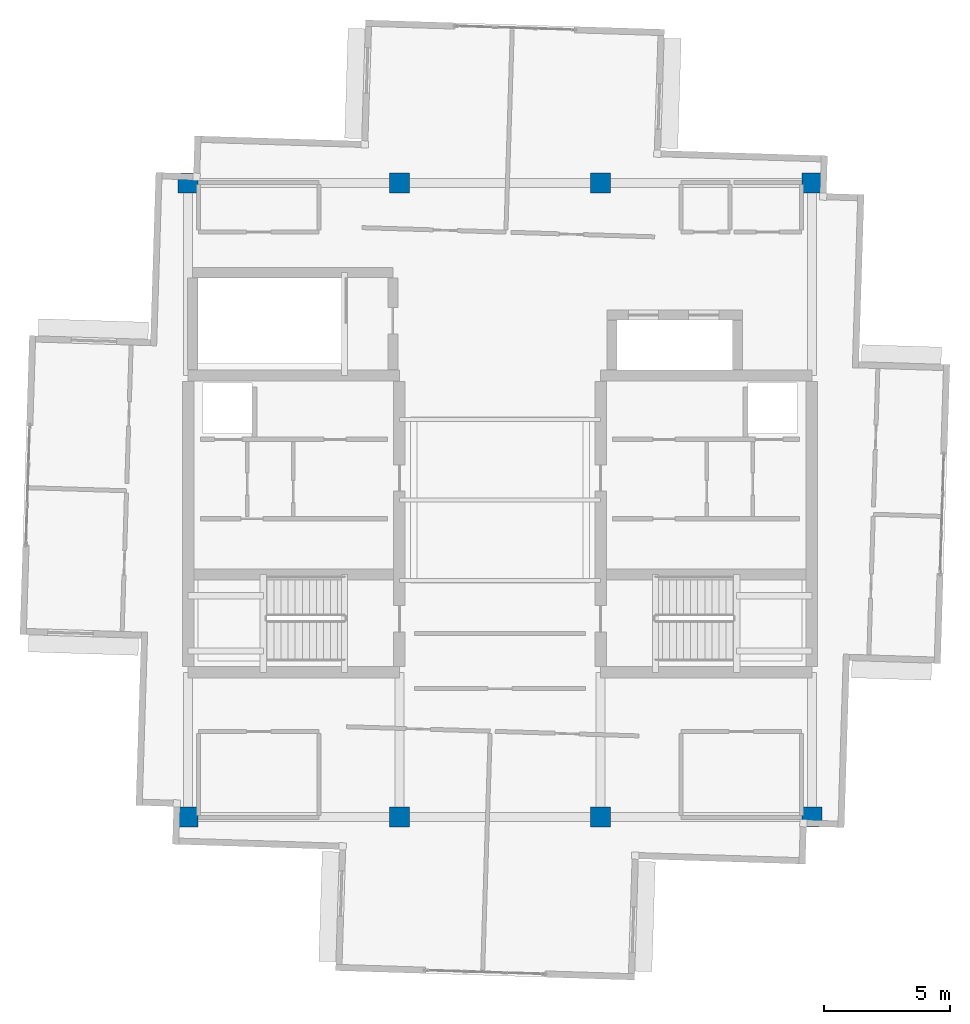
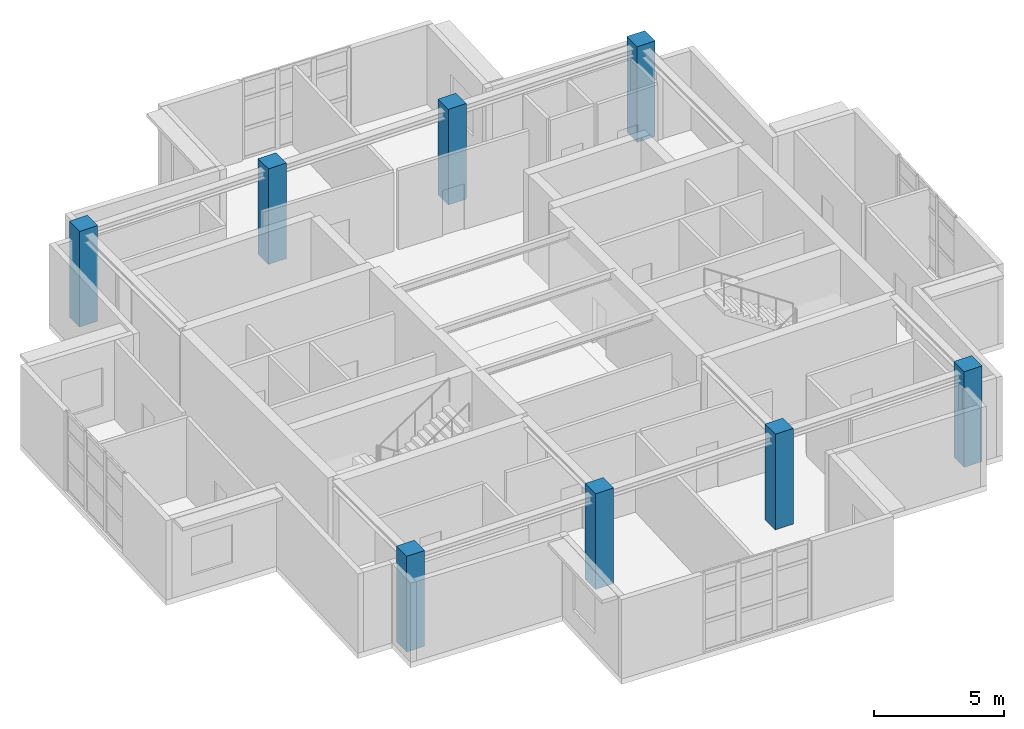
# One storey, part 1 of 14: 8 columns.
"""IFC4 building model written with IfcOpenShell, lengths in metres."""

import ifcopenshell
import ifcopenshell.guid

model = None  # the IFC model being written
_history = None  # IfcOwnerHistory: only IFC2X3 demands one
_inside = {}  # id of a spatial element -> (the spatial element, [elements in it])
_under = {}  # id of a project, library or spatial element -> (it, [spatial elements below it])
_declared = {}  # id of a project -> (the project, [libraries it declares])
_typed = {}  # id of a type object -> (the type object, [elements of that type])
_made_of = {}  # id of a material, layer set ... -> (it, [elements and type objects made of it])


def new_model(schema):
    """Start an empty IFC model of exactly this schema.

    Asked for "IFC4X3", IfcOpenShell would pick the latest addendum, in which some entities
    have other attributes; the version numbers below select the first issue.
    IFC2X3 requires an IfcOwnerHistory on every rooted entity: one is made here for all.
    """
    global model, _history
    if schema == "IFC4X3":
        model = ifcopenshell.file(schema_version=(4, 3, 0, 0))
    else:
        model = ifcopenshell.file(schema=schema)
    _inside.clear()
    _under.clear()
    _declared.clear()
    _typed.clear()
    _made_of.clear()
    _history = None
    if model.schema == "IFC2X3":
        org = make("IfcOrganization", Name="unknown")
        user = make(
            "IfcPersonAndOrganization",
            ThePerson=make("IfcPerson", FamilyName="unknown"),
            TheOrganization=org,
        )
        app = make(
            "IfcApplication",
            ApplicationDeveloper=org,
            Version="unknown",
            ApplicationFullName="unknown",
            ApplicationIdentifier="unknown",
        )
        _history = make(
            "IfcOwnerHistory",
            OwningUser=user,
            OwningApplication=app,
            ChangeAction="ADDED",
            CreationDate=0,
        )
    return model


def make(cls, **values):
    """One entity of the class cls with the attributes given. An attribute that is None is left unset."""
    return model.create_entity(
        cls, **{name: value for name, value in values.items() if value is not None}
    )


def rooted(cls, **values):
    """An entity with a GlobalId (a new one), such as an element, a storey or a relation."""
    return make(cls, GlobalId=ifcopenshell.guid.new(), OwnerHistory=_history, **values)


def si_unit(unit_type, name, prefix=None):
    """IfcSIUnit, for example si_unit("LENGTHUNIT", "METRE", prefix="MILLI")."""
    return make("IfcSIUnit", UnitType=unit_type, Prefix=prefix, Name=name)


def assignment(units):
    """IfcUnitAssignment: the units of a project."""
    return None if units is None else make("IfcUnitAssignment", Units=units)


def point(xyz):
    """IfcCartesianPoint."""
    return None if xyz is None else make("IfcCartesianPoint", Coordinates=xyz)


def direction(xyz):
    """IfcDirection."""
    return None if xyz is None else make("IfcDirection", DirectionRatios=xyz)


def frame(location, z_axis=None, x_axis=None):
    """IfcAxis2Placement3D, a coordinate frame: its origin and axes. An axis left out is left unset."""
    return make(
        "IfcAxis2Placement3D",
        Location=point(location),
        Axis=direction(z_axis),
        RefDirection=direction(x_axis),
    )


def frame_2d(location, x_axis=None):
    """IfcAxis2Placement2D, a coordinate frame in the plane: its origin and x axis."""
    return make(
        "IfcAxis2Placement2D", Location=point(location), RefDirection=direction(x_axis)
    )


def origin():
    """The frame at (0, 0, 0) with its axes left unset."""
    return frame((0.0, 0.0, 0.0))


def origin_2d():
    """The frame at (0, 0) in the plane with its x axis left unset."""
    return frame_2d((0.0, 0.0))


def place(relative_to, where):
    """IfcLocalPlacement: puts the frame where relative to a parent placement (None: the world)."""
    return make(
        "IfcLocalPlacement", PlacementRelTo=relative_to, RelativePlacement=where
    )


def context(
    kind, dimensions, precision=None, world=None, true_north=None, identifier=None
):
    """IfcGeometricRepresentationContext, for example the 3D "Model" context."""
    return make(
        "IfcGeometricRepresentationContext",
        ContextIdentifier=identifier,
        ContextType=kind,
        CoordinateSpaceDimension=dimensions,
        Precision=precision,
        WorldCoordinateSystem=world,
        TrueNorth=true_north,
    )


def subcontext(parent, identifier, kind, view, scale=None):
    """IfcGeometricRepresentationSubContext, for example "Body" below "Model"."""
    return make(
        "IfcGeometricRepresentationSubContext",
        ContextIdentifier=identifier,
        ContextType=kind,
        ParentContext=parent,
        TargetScale=scale,
        TargetView=view,
    )


def project(units=None, contexts=None):
    """IfcProject with its units and contexts."""
    return rooted(
        "IfcProject",
        Name="project",
        RepresentationContexts=contexts,
        UnitsInContext=assignment(units),
    )


def spatial(cls, under=None, at=None, **own):
    """A site, building, storey or space (cls), placed at a placement, below another one or the project."""
    s = rooted(cls, ObjectPlacement=at, **own)
    if under is not None:
        _under.setdefault(under.id(), (under, []))[1].append(s)
    return s


def profile(cls, at=None, kind="AREA", **sizes):
    """A parametric profile (cls). Its sizes go by their IFC names, for example OverallWidth=200.0."""
    return make(cls, ProfileType=kind, Position=at, **sizes)


def rectangle(**sizes):
    """IfcRectangleProfileDef."""
    return profile("IfcRectangleProfileDef", **sizes)


def extrude(swept, where, along, depth):
    """IfcExtrudedAreaSolid: the profile swept, set in the frame where, extruded along a direction by depth."""
    return make(
        "IfcExtrudedAreaSolid",
        SweptArea=swept,
        Position=where,
        ExtrudedDirection=direction(along),
        Depth=depth,
    )


def shape(context_of_items, identifier, shape_type, items):
    """IfcShapeRepresentation: the items that make up one representation, for example the "Body"."""
    return make(
        "IfcShapeRepresentation",
        ContextOfItems=context_of_items,
        RepresentationIdentifier=identifier,
        RepresentationType=shape_type,
        Items=items,
    )


def material(Name=None, Category=None):
    """IfcMaterial."""
    return make("IfcMaterial", Name=Name, Category=Category)


def material_profile(
    of_material, cross_section, Name=None, Category=None, Priority=None
):
    """IfcMaterialProfile: a cross section and its material."""
    return make(
        "IfcMaterialProfile",
        Name=Name,
        Material=of_material,
        Profile=cross_section,
        Priority=Priority,
        Category=Category,
    )


def profile_set(profiles, Name=None, composite=None):
    """IfcMaterialProfileSet."""
    return make(
        "IfcMaterialProfileSet",
        Name=Name,
        MaterialProfiles=profiles,
        CompositeProfile=composite,
    )


def made_of(thing, what):
    """Note that an element or type object is made of a material, layer set ...; save() writes the relation."""
    if what is not None:
        _made_of.setdefault(what.id(), (what, []))[1].append(thing)
    return thing


def type_object(cls, material=None, **own):
    """A type object (cls), such as IfcWallType, which elements share."""
    return made_of(rooted(cls, **own), material)


def element(
    cls,
    number,
    at=None,
    inside=None,
    cuts=None,
    type_object=None,
    material=None,
    context=None,
    identifier="Body",
    shape_type=None,
    held_by="IfcProductDefinitionShape",
    body=None,
    shapes=None,
    **own,
):
    """One element of the class cls, such as IfcWall. Its Tag is "e" and its number.

    at: its placement. inside: the storey or other place that contains it. cuts: it is an
    opening in that element (IfcRelVoidsElement). A single representation is given by context,
    identifier, shape_type and body (its items); several are given by shapes. held_by: the class
    of the entity that holds the representations. save() writes the other relations.
    """
    e = rooted(cls, Tag="e%d" % number, ObjectPlacement=at, **own)
    if body is not None:
        shapes = [shape(context, identifier, shape_type, body)]
    if shapes is not None:
        e.Representation = make(held_by, Representations=shapes)
    if inside is not None:
        _inside.setdefault(inside.id(), (inside, []))[1].append(e)
    if cuts is not None:
        rooted(
            "IfcRelVoidsElement", RelatingBuildingElement=cuts, RelatedOpeningElement=e
        )
    if type_object is not None:
        _typed.setdefault(type_object.id(), (type_object, []))[1].append(e)
    return made_of(e, material)


def aggregate(whole, parts):
    """IfcRelAggregates: a whole, such as a stair, and the parts it consists of."""
    return rooted("IfcRelAggregates", RelatingObject=whole, RelatedObjects=parts)


def save(model, path):
    """Write the relations noted so far, then the file.

    IfcRelAggregates (storeys below a building ...), IfcRelContainedInSpatialStructure (elements
    in a storey), IfcRelDefinesByType, IfcRelAssociatesMaterial and IfcRelDeclares: one each for
    every whole, place, type object, material and project.
    """
    for whole, parts in _under.values():
        aggregate(whole, parts)
    for where, things in _inside.values():
        rooted(
            "IfcRelContainedInSpatialStructure",
            RelatedElements=things,
            RelatingStructure=where,
        )
    for kind, things in _typed.values():
        rooted("IfcRelDefinesByType", RelatedObjects=things, RelatingType=kind)
    for what, things in _made_of.values():
        rooted("IfcRelAssociatesMaterial", RelatedObjects=things, RelatingMaterial=what)
    for by, libraries in _declared.values():
        rooted("IfcRelDeclares", RelatingContext=by, RelatedDefinitions=libraries)
    model.write(path)


model = new_model("IFC4")

# Units and contexts
model_context = context("Model", 3, precision=1e-05, world=origin(), true_north=direction((0.0, 1.0)))
body_context = subcontext(model_context, "Body", "Model", "MODEL_VIEW")
ifc_project = project(units=[si_unit("LENGTHUNIT", "METRE"), si_unit("AREAUNIT", "SQUARE_METRE"), si_unit("VOLUMEUNIT", "CUBIC_METRE"), si_unit("PLANEANGLEUNIT", "RADIAN"), si_unit("MASSUNIT", "GRAM", prefix="KILO")], contexts=[model_context])

# Site, building, storey
site_placement = place(None, origin())
site = spatial("IfcSite", under=ifc_project, at=site_placement, CompositionType="ELEMENT")
building_placement = place(site_placement, origin())
building = spatial("IfcBuilding", under=site, at=building_placement, Name="Qingluan Cross Belvedere", CompositionType="ELEMENT")
storey_placement = place(building_placement, frame((0.0, 0.0, 317.39990234375)))
storey = spatial("IfcBuildingStorey", under=building, at=storey_placement, Name="L78", CompositionType="ELEMENT", Elevation=317.39990234375)

# Columns
ifc_material = material(Name="Concrete C50", Category="concrete")
ifc_material_profile = material_profile(ifc_material, rectangle(XDim=0.800048828125, YDim=0.800048828125, at=origin_2d()), Name="RC800x800")
ifc_profile_set = profile_set([ifc_material_profile], Name="Concrete C50")
column_type = type_object("IfcColumnType", Name="Column_RC800x800", PredefinedType="COLUMN", material=ifc_profile_set)
for number, where, z_axis, x_axis, name in (
    (1, (-12.39990234375, -12.60009765625, 0.0), (0.0, 0.0, 1.0), (1.0, 0.0, 0.0), "Hub column L78-HC1"),
    (2, (12.39990234375, -12.60009765625, 0.0), (0.0, 0.0, 1.0), (1.0, 0.0, 0.0), "Hub column L78-HC2"),
    (3, (12.39990234375, 12.60009765625, 0.0), (0.0, 0.0, 1.0), (1.0, 0.0, 0.0), "Hub column L78-HC3"),
    (4, (-12.39990234375, 12.60009765625, 0.0), (0.0, 0.0, 1.0), (1.0, 0.0, 0.0), "Hub column L78-HC4"),
    (5, (-4.0, -12.60009765625, 0.0), (0.0, 0.0, 1.0), (1.0, 0.0, 0.0), "Hub column L78-HC5"),
    (6, (4.0, -12.60009765625, 0.0), (0.0, 0.0, 1.0), (1.0, 0.0, 0.0), "Hub column L78-HC6"),
    (7, (4.0, 12.60009765625, 0.0), (0.0, 0.0, 1.0), (1.0, 0.0, 0.0), "Hub column L78-HC7"),
    (8, (-4.0, 12.60009765625, 0.0), (0.0, 0.0, 1.0), (1.0, 0.0, 0.0), "Hub column L78-HC8"),
):
    element("IfcColumn", number, at=place(storey_placement, frame(where, z_axis=z_axis, x_axis=x_axis)), inside=storey, type_object=column_type, Name=name, PredefinedType="COLUMN", context=body_context, shape_type="SweptSolid", body=[
        extrude(rectangle(XDim=0.800048828125, YDim=0.800048828125, at=origin_2d()), origin(), (0.0, 0.0, 1.0), 4.5),
    ])

save(model, "model.ifc")
